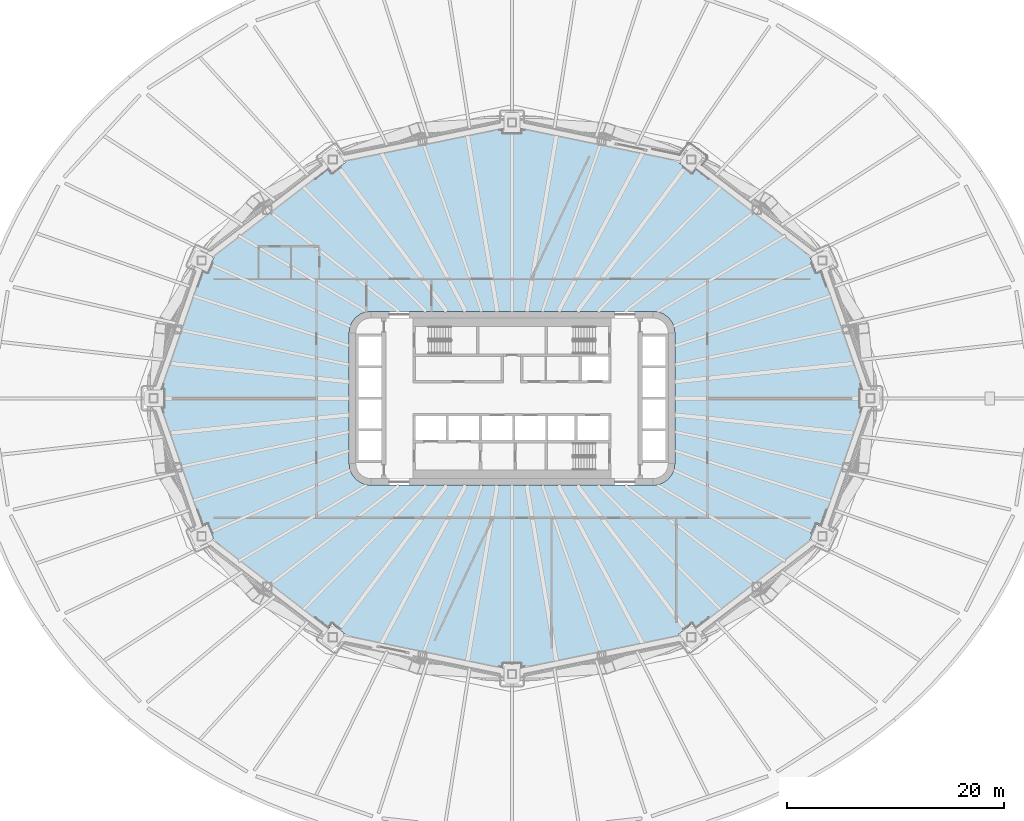
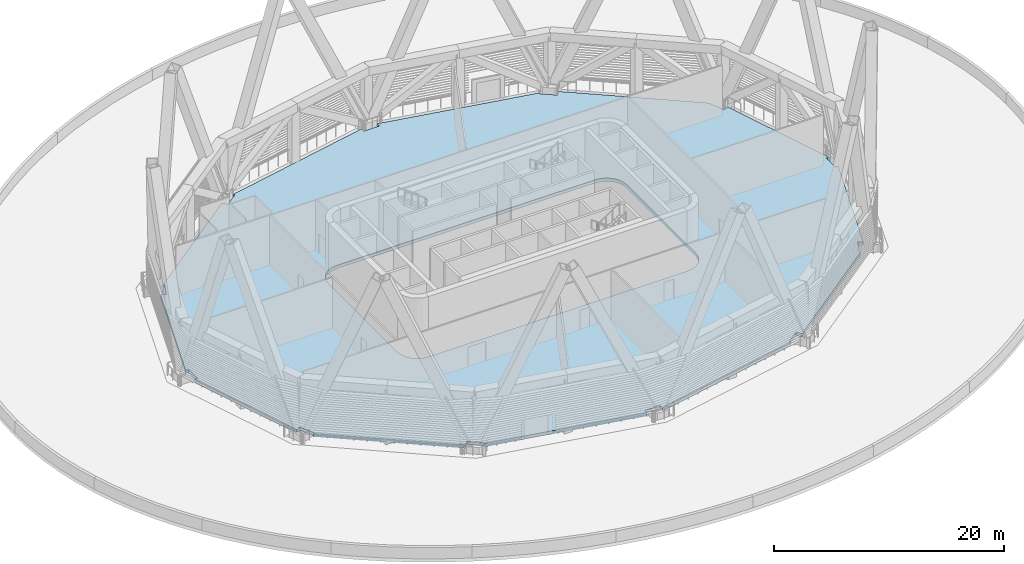
# One storey, part 6 of 27: 1 slab.
"""IFC4 building model written with IfcOpenShell, lengths in metres."""

from ifc_helpers import new_model, si_unit, direction, frame, origin, place, context, subcontext, project, spatial, polyline, outline, extrude, material, layer, layer_set, type_object, element, save


model = new_model("IFC4")

# Units and contexts
model_context = context("Model", 3, precision=1e-05, world=origin(), true_north=direction((0.0, 1.0)))
body_context = subcontext(model_context, "Body", "Model", "MODEL_VIEW")
ifc_project = project(units=[si_unit("LENGTHUNIT", "METRE"), si_unit("AREAUNIT", "SQUARE_METRE"), si_unit("VOLUMEUNIT", "CUBIC_METRE"), si_unit("PLANEANGLEUNIT", "RADIAN"), si_unit("MASSUNIT", "GRAM", prefix="KILO")], contexts=[model_context])

# Site, building, storey
site_placement = place(None, origin())
site = spatial("IfcSite", under=ifc_project, at=site_placement, CompositionType="ELEMENT")
building_placement = place(site_placement, origin())
building = spatial("IfcBuilding", under=site, at=building_placement, Name="Sahrelin Media Tower", CompositionType="ELEMENT")
storey_placement = place(building_placement, frame((0.0, 0.0, 44.0)))
storey = spatial("IfcBuildingStorey", under=building, at=storey_placement, Name="L06", CompositionType="ELEMENT", Elevation=44.0)

# Slab
ifc_material = material(Name="Concrete C40/50", Category="concrete")
ifc_layer = layer(ifc_material, 0.35009765625)
ifc_layer_set = layer_set([ifc_layer], Name="Composite floor slab 350")
slab_type = type_object("IfcSlabType", Name="Composite floor slab 350", PredefinedType="FLOOR", material=ifc_layer_set)
slab_placement = place(storey_placement, frame((0.0, 0.0, -0.35009765625)))
element("IfcSlab", 1, at=slab_placement, inside=storey, type_object=slab_type, Name="Floor slab L06", PredefinedType="FLOOR", context=body_context, shape_type="SweptSolid", body=[
    extrude(outline(polyline([(28.069091796875, -11.630859375), (28.511962890625, -11.82763671875), (32.361328125, -0.77001953125), (32.10009765625, -0.77001953125), (32.097900390625, -0.77001953125), (32.09619140625, -0.76953125), (32.09423828125, -0.76904296875), (32.09228515625, -0.7685546875), (32.090576171875, -0.767578125), (32.0888671875, -0.7666015625), (32.08740234375, -0.765380859375), (32.0859375, -0.76416015625), (32.08447265625, -0.7626953125), (32.08349609375, -0.760986328125), (32.08251953125, -0.759521484375), (32.08154296875, -0.7578125), (32.080810546875, -0.755859375), (32.080322265625, -0.75390625), (32.080078125, -0.751953125), (32.080078125, -0.75), (32.080078125, 0.75), (32.080078125, 0.751953125), (32.080322265625, 0.75390625), (32.080810546875, 0.755859375), (32.08154296875, 0.7578125), (32.08251953125, 0.759521484375), (32.08349609375, 0.760986328125), (32.08447265625, 0.7626953125), (32.0859375, 0.76416015625), (32.08740234375, 0.765380859375), (32.0888671875, 0.7666015625), (32.090576171875, 0.767578125), (32.09228515625, 0.7685546875), (32.09423828125, 0.76904296875), (32.09619140625, 0.76953125), (32.097900390625, 0.77001953125), (32.10009765625, 0.77001953125), (32.361328125, 0.77001953125), (28.511962890625, 11.82763671875), (28.069091796875, 11.630859375), (28.067138671875, 11.630126953125), (28.065185546875, 11.629638671875), (28.0634765625, 11.62939453125), (28.061279296875, 11.629150390625), (28.0595703125, 11.629150390625), (28.0576171875, 11.62939453125), (28.0556640625, 11.6298828125), (28.0537109375, 11.630615234375), (28.052001953125, 11.63134765625), (28.05029296875, 11.632080078125), (28.048583984375, 11.63330078125), (28.047119140625, 11.634521484375), (28.0458984375, 11.635986328125), (28.044677734375, 11.6376953125), (28.04345703125, 11.639404296875), (28.04248046875, 11.64111328125), (27.43359375, 13.01171875), (27.432861328125, 13.013671875), (27.432373046875, 13.015380859375), (27.431884765625, 13.017333984375), (27.431884765625, 13.019287109375), (27.431884765625, 13.021240234375), (27.43212890625, 13.023193359375), (27.4326171875, 13.025146484375), (27.43310546875, 13.027099609375), (27.433837890625, 13.02880859375), (27.434814453125, 13.030517578125), (27.43603515625, 13.0322265625), (27.437255859375, 13.03369140625), (27.438720703125, 13.034912109375), (27.440185546875, 13.0361328125), (27.44189453125, 13.037353515625), (27.443603515625, 13.0380859375), (27.52099609375, 13.072509765625), (16.900146484375, 21.247314453125), (16.575927734375, 20.81494140625), (16.57470703125, 20.8134765625), (16.5732421875, 20.81201171875), (16.57177734375, 20.810791015625), (16.570068359375, 20.809814453125), (16.568359375, 20.808837890625), (16.566650390625, 20.80810546875), (16.564697265625, 20.8076171875), (16.562744140625, 20.80712890625), (16.560791015625, 20.806884765625), (16.558837890625, 20.806884765625), (16.556884765625, 20.80712890625), (16.554931640625, 20.8076171875), (16.552978515625, 20.80810546875), (16.55126953125, 20.80908203125), (16.549560546875, 20.809814453125), (16.5478515625, 20.81103515625), (15.347900390625, 21.711181640625), (15.346435546875, 21.71240234375), (15.34521484375, 21.713623046875), (15.343994140625, 21.715087890625), (15.3427734375, 21.716796875), (15.341796875, 21.718505859375), (15.341064453125, 21.720458984375), (15.340576171875, 21.722412109375), (15.340087890625, 21.72412109375), (15.340087890625, 21.726318359375), (15.340087890625, 21.728271484375), (15.340087890625, 21.72998046875), (15.340576171875, 21.73193359375), (15.34130859375, 21.73388671875), (15.341796875, 21.735595703125), (15.343017578125, 21.7373046875), (15.343994140625, 21.739013671875), (15.434326171875, 21.859375), (0.77001953125, 24.8837890625), (0.77001953125, 24.5), (0.77001953125, 24.498046875), (0.76953125, 24.49609375), (0.76904296875, 24.494140625), (0.7685546875, 24.4921875), (0.767578125, 24.490478515625), (0.7666015625, 24.489013671875), (0.765380859375, 24.4873046875), (0.76416015625, 24.48583984375), (0.7626953125, 24.484619140625), (0.760986328125, 24.4833984375), (0.759521484375, 24.482421875), (0.7578125, 24.4814453125), (0.755859375, 24.48095703125), (0.75390625, 24.48046875), (0.751953125, 24.47998046875), (0.75, 24.47998046875), (-0.75, 24.47998046875), (-0.751953125, 24.47998046875), (-0.75390625, 24.48046875), (-0.755859375, 24.48095703125), (-0.7578125, 24.4814453125), (-0.759521484375, 24.482421875), (-0.760986328125, 24.4833984375), (-0.7626953125, 24.484619140625), (-0.76416015625, 24.48583984375), (-0.765380859375, 24.4873046875), (-0.7666015625, 24.489013671875), (-0.767578125, 24.490478515625), (-0.7685546875, 24.4921875), (-0.76904296875, 24.494140625), (-0.76953125, 24.49609375), (-0.77001953125, 24.498046875), (-0.77001953125, 24.5), (-0.77001953125, 24.8837890625), (-15.434326171875, 21.859375), (-15.343994140625, 21.739013671875), (-15.343017578125, 21.7373046875), (-15.341796875, 21.735595703125), (-15.34130859375, 21.73388671875), (-15.340576171875, 21.73193359375), (-15.340087890625, 21.72998046875), (-15.340087890625, 21.728271484375), (-15.340087890625, 21.726318359375), (-15.340087890625, 21.72412109375), (-15.340576171875, 21.722412109375), (-15.341064453125, 21.720458984375), (-15.341796875, 21.718505859375), (-15.3427734375, 21.716796875), (-15.343994140625, 21.715087890625), (-15.34521484375, 21.713623046875), (-15.346435546875, 21.71240234375), (-15.347900390625, 21.711181640625), (-16.5478515625, 20.81103515625), (-16.549560546875, 20.809814453125), (-16.55126953125, 20.80908203125), (-16.552978515625, 20.80810546875), (-16.554931640625, 20.8076171875), (-16.556884765625, 20.80712890625), (-16.558837890625, 20.806884765625), (-16.560791015625, 20.806884765625), (-16.562744140625, 20.80712890625), (-16.564697265625, 20.8076171875), (-16.566650390625, 20.80810546875), (-16.568359375, 20.808837890625), (-16.570068359375, 20.809814453125), (-16.57177734375, 20.810791015625), (-16.5732421875, 20.81201171875), (-16.57470703125, 20.8134765625), (-16.575927734375, 20.81494140625), (-16.900146484375, 21.247314453125), (-27.52099609375, 13.072509765625), (-27.443603515625, 13.0380859375), (-27.44189453125, 13.037353515625), (-27.440185546875, 13.0361328125), (-27.438720703125, 13.034912109375), (-27.437255859375, 13.03369140625), (-27.43603515625, 13.0322265625), (-27.434814453125, 13.030517578125), (-27.433837890625, 13.02880859375), (-27.43310546875, 13.027099609375), (-27.4326171875, 13.025146484375), (-27.43212890625, 13.023193359375), (-27.431884765625, 13.021240234375), (-27.431884765625, 13.019287109375), (-27.431884765625, 13.017333984375), (-27.432373046875, 13.015380859375), (-27.432861328125, 13.013671875), (-27.43359375, 13.01171875), (-28.04248046875, 11.64111328125), (-28.04345703125, 11.639404296875), (-28.044677734375, 11.6376953125), (-28.0458984375, 11.635986328125), (-28.047119140625, 11.634521484375), (-28.048583984375, 11.63330078125), (-28.05029296875, 11.632080078125), (-28.052001953125, 11.63134765625), (-28.0537109375, 11.630615234375), (-28.0556640625, 11.6298828125), (-28.0576171875, 11.62939453125), (-28.0595703125, 11.629150390625), (-28.061279296875, 11.629150390625), (-28.0634765625, 11.62939453125), (-28.065185546875, 11.629638671875), (-28.067138671875, 11.630126953125), (-28.069091796875, 11.630859375), (-28.511962890625, 11.82763671875), (-32.361328125, 0.77001953125), (-32.10009765625, 0.77001953125), (-32.097900390625, 0.77001953125), (-32.09619140625, 0.76953125), (-32.09423828125, 0.76904296875), (-32.09228515625, 0.7685546875), (-32.090576171875, 0.767578125), (-32.0888671875, 0.7666015625), (-32.08740234375, 0.765380859375), (-32.0859375, 0.76416015625), (-32.08447265625, 0.7626953125), (-32.08349609375, 0.760986328125), (-32.08251953125, 0.759521484375), (-32.08154296875, 0.7578125), (-32.080810546875, 0.755859375), (-32.080322265625, 0.75390625), (-32.080078125, 0.751953125), (-32.080078125, 0.75), (-32.080078125, -0.75), (-32.080078125, -0.751953125), (-32.080322265625, -0.75390625), (-32.080810546875, -0.755859375), (-32.08154296875, -0.7578125), (-32.08251953125, -0.759521484375), (-32.08349609375, -0.760986328125), (-32.08447265625, -0.7626953125), (-32.0859375, -0.76416015625), (-32.08740234375, -0.765380859375), (-32.0888671875, -0.7666015625), (-32.090576171875, -0.767578125), (-32.09228515625, -0.7685546875), (-32.09423828125, -0.76904296875), (-32.09619140625, -0.76953125), (-32.097900390625, -0.77001953125), (-32.10009765625, -0.77001953125), (-32.361328125, -0.77001953125), (-28.511962890625, -11.82763671875), (-28.069091796875, -11.630859375), (-28.067138671875, -11.630126953125), (-28.065185546875, -11.629638671875), (-28.0634765625, -11.62939453125), (-28.061279296875, -11.629150390625), (-28.0595703125, -11.629150390625), (-28.0576171875, -11.62939453125), (-28.0556640625, -11.6298828125), (-28.0537109375, -11.630615234375), (-28.052001953125, -11.63134765625), (-28.05029296875, -11.632080078125), (-28.048583984375, -11.63330078125), (-28.047119140625, -11.634521484375), (-28.0458984375, -11.635986328125), (-28.044677734375, -11.6376953125), (-28.04345703125, -11.639404296875), (-28.04248046875, -11.64111328125), (-27.43359375, -13.01171875), (-27.432861328125, -13.013671875), (-27.432373046875, -13.015380859375), (-27.431884765625, -13.017333984375), (-27.431884765625, -13.019287109375), (-27.431884765625, -13.021240234375), (-27.43212890625, -13.023193359375), (-27.4326171875, -13.025146484375), (-27.43310546875, -13.027099609375), (-27.433837890625, -13.02880859375), (-27.434814453125, -13.030517578125), (-27.43603515625, -13.0322265625), (-27.437255859375, -13.03369140625), (-27.438720703125, -13.034912109375), (-27.440185546875, -13.0361328125), (-27.44189453125, -13.037353515625), (-27.443603515625, -13.0380859375), (-27.52099609375, -13.072509765625), (-16.900146484375, -21.247314453125), (-16.575927734375, -20.81494140625), (-16.57470703125, -20.8134765625), (-16.5732421875, -20.81201171875), (-16.57177734375, -20.810791015625), (-16.570068359375, -20.809814453125), (-16.568359375, -20.808837890625), (-16.566650390625, -20.80810546875), (-16.564697265625, -20.8076171875), (-16.562744140625, -20.80712890625), (-16.560791015625, -20.806884765625), (-16.558837890625, -20.806884765625), (-16.556884765625, -20.80712890625), (-16.554931640625, -20.8076171875), (-16.552978515625, -20.80810546875), (-16.55126953125, -20.80908203125), (-16.549560546875, -20.809814453125), (-16.5478515625, -20.81103515625), (-15.347900390625, -21.711181640625), (-15.346435546875, -21.71240234375), (-15.34521484375, -21.713623046875), (-15.343994140625, -21.715087890625), (-15.3427734375, -21.716796875), (-15.341796875, -21.718505859375), (-15.341064453125, -21.720458984375), (-15.340576171875, -21.722412109375), (-15.340087890625, -21.72412109375), (-15.340087890625, -21.726318359375), (-15.340087890625, -21.728271484375), (-15.340087890625, -21.72998046875), (-15.340576171875, -21.73193359375), (-15.34130859375, -21.73388671875), (-15.341796875, -21.735595703125), (-15.343017578125, -21.7373046875), (-15.343994140625, -21.739013671875), (-15.434326171875, -21.859375), (-0.77001953125, -24.8837890625), (-0.77001953125, -24.5), (-0.77001953125, -24.498046875), (-0.76953125, -24.49609375), (-0.76904296875, -24.494140625), (-0.7685546875, -24.4921875), (-0.767578125, -24.490478515625), (-0.7666015625, -24.489013671875), (-0.765380859375, -24.4873046875), (-0.76416015625, -24.48583984375), (-0.7626953125, -24.484619140625), (-0.760986328125, -24.4833984375), (-0.759521484375, -24.482421875), (-0.7578125, -24.4814453125), (-0.755859375, -24.48095703125), (-0.75390625, -24.48046875), (-0.751953125, -24.47998046875), (-0.75, -24.47998046875), (0.75, -24.47998046875), (0.751953125, -24.47998046875), (0.75390625, -24.48046875), (0.755859375, -24.48095703125), (0.7578125, -24.4814453125), (0.759521484375, -24.482421875), (0.760986328125, -24.4833984375), (0.7626953125, -24.484619140625), (0.76416015625, -24.48583984375), (0.765380859375, -24.4873046875), (0.7666015625, -24.489013671875), (0.767578125, -24.490478515625), (0.7685546875, -24.4921875), (0.76904296875, -24.494140625), (0.76953125, -24.49609375), (0.77001953125, -24.498046875), (0.77001953125, -24.5), (0.77001953125, -24.8837890625), (15.434326171875, -21.859375), (15.343994140625, -21.739013671875), (15.343017578125, -21.7373046875), (15.341796875, -21.735595703125), (15.34130859375, -21.73388671875), (15.340576171875, -21.73193359375), (15.340087890625, -21.72998046875), (15.340087890625, -21.728271484375), (15.340087890625, -21.726318359375), (15.340087890625, -21.72412109375), (15.340576171875, -21.722412109375), (15.341064453125, -21.720458984375), (15.341796875, -21.718505859375), (15.3427734375, -21.716796875), (15.343994140625, -21.715087890625), (15.34521484375, -21.713623046875), (15.346435546875, -21.71240234375), (15.347900390625, -21.711181640625), (16.5478515625, -20.81103515625), (16.549560546875, -20.809814453125), (16.55126953125, -20.80908203125), (16.552978515625, -20.80810546875), (16.554931640625, -20.8076171875), (16.556884765625, -20.80712890625), (16.558837890625, -20.806884765625), (16.560791015625, -20.806884765625), (16.562744140625, -20.80712890625), (16.564697265625, -20.8076171875), (16.566650390625, -20.80810546875), (16.568359375, -20.808837890625), (16.570068359375, -20.809814453125), (16.57177734375, -20.810791015625), (16.5732421875, -20.81201171875), (16.57470703125, -20.8134765625), (16.575927734375, -20.81494140625), (16.900146484375, -21.247314453125), (27.52099609375, -13.072509765625), (27.443603515625, -13.0380859375), (27.44189453125, -13.037353515625), (27.440185546875, -13.0361328125), (27.438720703125, -13.034912109375), (27.437255859375, -13.03369140625), (27.43603515625, -13.0322265625), (27.434814453125, -13.030517578125), (27.433837890625, -13.02880859375), (27.43310546875, -13.027099609375), (27.4326171875, -13.025146484375), (27.43212890625, -13.023193359375), (27.431884765625, -13.021240234375), (27.431884765625, -13.019287109375), (27.431884765625, -13.017333984375), (27.432373046875, -13.015380859375), (27.432861328125, -13.013671875), (27.43359375, -13.01171875), (28.04248046875, -11.64111328125), (28.04345703125, -11.639404296875), (28.044677734375, -11.6376953125), (28.0458984375, -11.635986328125), (28.047119140625, -11.634521484375), (28.048583984375, -11.63330078125), (28.05029296875, -11.632080078125), (28.052001953125, -11.63134765625), (28.0537109375, -11.630615234375), (28.0556640625, -11.6298828125), (28.0576171875, -11.62939453125), (28.0595703125, -11.629150390625), (28.061279296875, -11.629150390625), (28.0634765625, -11.62939453125), (28.065185546875, -11.629638671875), (28.067138671875, -11.630126953125), (28.069091796875, -11.630859375)]), holes=[polyline([(14.931884765625, 6.517578125), (15.0, 6.0), (15.0, -6.0), (14.931884765625, -6.517578125), (14.732177734375, -7.0), (14.414306640625, -7.414306640625), (14.0, -7.732177734375), (13.517578125, -7.931884765625), (13.0, -8.0), (-13.0, -8.0), (-13.517578125, -7.931884765625), (-14.0, -7.732177734375), (-14.414306640625, -7.414306640625), (-14.732177734375, -7.0), (-14.931884765625, -6.517578125), (-15.0, -6.0), (-15.0, 6.0), (-14.931884765625, 6.517578125), (-14.732177734375, 7.0), (-14.414306640625, 7.414306640625), (-14.0, 7.732177734375), (-13.517578125, 7.931884765625), (-13.0, 8.0), (13.0, 8.0), (13.517578125, 7.931884765625), (14.0, 7.732177734375), (14.414306640625, 7.414306640625), (14.732177734375, 7.0), (14.931884765625, 6.517578125)])]), origin(), (0.0, 0.0, 1.0), 0.35009765625),
])

save(model, "model.ifc")
